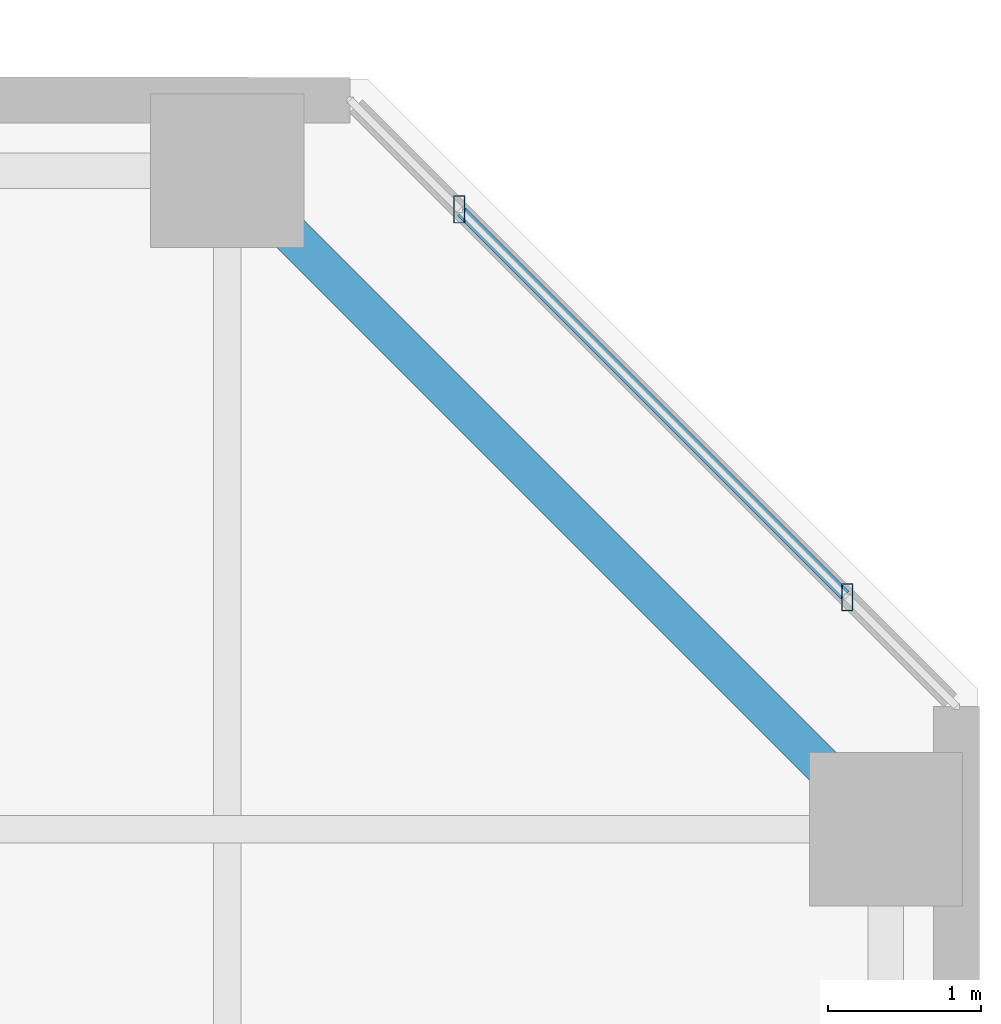
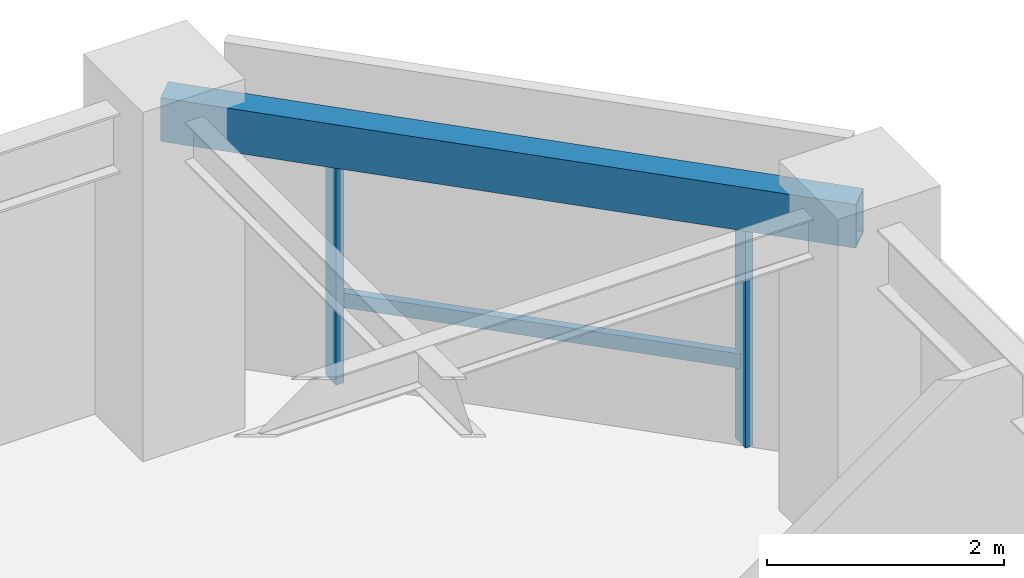
# One storey, part 17 of 33: 3 members, 1 beam, 1 element without a shape of its own.
"""IFC4 building model written with IfcOpenShell, lengths in metres."""

from ifc_helpers import new_model, si_unit, direction, frame, origin, origin_2d, place, context, subcontext, project, spatial, hollow_rectangle, extrude, material, material_profile, profile_set, type_object, element, aggregate, save


model = new_model("IFC4")

# Units and contexts
model_context = context("Model", 3, precision=1e-05, world=origin(), true_north=direction((0.0, 1.0)))
body_context = subcontext(model_context, "Body", "Model", "MODEL_VIEW")
ifc_project = project(units=[si_unit("LENGTHUNIT", "METRE"), si_unit("AREAUNIT", "SQUARE_METRE"), si_unit("VOLUMEUNIT", "CUBIC_METRE"), si_unit("PLANEANGLEUNIT", "RADIAN"), si_unit("MASSUNIT", "GRAM", prefix="KILO")], contexts=[model_context])

# Site, building, storey
site_placement = place(None, origin())
site = spatial("IfcSite", under=ifc_project, at=site_placement, CompositionType="ELEMENT")
building_placement = place(site_placement, origin())
building = spatial("IfcBuilding", under=site, at=building_placement, Name="Thornwick Lancets Civic Towers", CompositionType="ELEMENT")
storey_placement = place(building_placement, frame((0.0, 0.0, 203.699951171875)))
storey = spatial("IfcBuildingStorey", under=building, at=storey_placement, Name="L54", CompositionType="ELEMENT", Elevation=203.699951171875)

# Beam
ifc_material_1 = material(Name="Steel S355JR", Category="steel")
ifc_material_profile_1 = material_profile(ifc_material_1, hollow_rectangle(XDim=0.25, YDim=0.449951171875, WallThickness=0.01611328125, at=origin_2d()), Name="RHS 450x250x16")
ifc_profile_set_1 = profile_set([ifc_material_profile_1], Name="Steel S355JR")
beam_type = type_object("IfcBeamType", Name="BM_RING_RHS450", PredefinedType="BEAM", material=ifc_profile_set_1)
beam_placement = place(storey_placement, frame((105.800048828125, 40.0, 3.135009765625), z_axis=(-0.707106781187, 0.707106781187, 0.0), x_axis=(-0.707106781187, -0.707106781187, 0.0)))
element("IfcBeam", 1, at=beam_placement, inside=storey, type_object=beam_type, Name="BM-CHAMF-L54-B-C0", PredefinedType="BEAM", context=body_context, shape_type="SweptSolid", body=[
    extrude(hollow_rectangle(XDim=0.25, YDim=0.449951171875, WallThickness=0.01611328125, at=origin_2d()), origin(), (0.0, 0.0, 1.0), 6.081298828125),
])

# Curtain wall, members
ifc_material_2 = material(Name="High-zone chamfered-corner unitised glass curtain wall", Category="glass")
curtain_wall_type = type_object("IfcCurtainWallType", Name="CW_SYS_05", PredefinedType="NOTDEFINED", material=ifc_material_2)
curtain_wall_placement = place(storey_placement, origin())
curtain_wall = element("IfcCurtainWall", 2, at=curtain_wall_placement, inside=storey, type_object=curtain_wall_type, Name="L54 Curtain Wall CW-L54-B-E3", PredefinedType="NOTDEFINED")
ifc_material_3 = material(Name="Thermally broken bronze aluminium S355", Category="steel")
ifc_material_profile_2 = material_profile(ifc_material_3, hollow_rectangle(XDim=0.074951171875, YDim=0.179931640625, WallThickness=0.006103515625, at=origin_2d()), Name="RHS 180x75x6")
ifc_profile_set_2 = profile_set([ifc_material_profile_2], Name="Thermally broken bronze aluminium S355")
member_type_1 = type_object("IfcMemberType", Name="CW_MUL_180", PredefinedType="MULLION", material=ifc_profile_set_2)
member_1_placement = place(storey_placement, frame((105.547119140625, 41.514892578125, 0.0), z_axis=(0.0, 0.0, 1.0), x_axis=(1.0, 0.0, 0.0)))
member_1 = element("IfcMember", 3, at=member_1_placement, type_object=member_type_1, Name="CW-L54-B-E3 Mullion 0", PredefinedType="MULLION", context=body_context, shape_type="SweptSolid", body=[
    extrude(hollow_rectangle(XDim=0.074951171875, YDim=0.179931640625, WallThickness=0.006103515625, at=origin_2d()), origin(), (0.0, 0.0, 1.0), 2.699951171875),
])
member_2_placement = place(storey_placement, frame((103.014892578125, 44.047119140625, 0.0), z_axis=(0.0, 0.0, 1.0), x_axis=(1.0, 0.0, 0.0)))
member_2 = element("IfcMember", 4, at=member_2_placement, type_object=member_type_1, Name="CW-L54-B-E3 Mullion 1", PredefinedType="MULLION", context=body_context, shape_type="SweptSolid", body=[
    extrude(hollow_rectangle(XDim=0.074951171875, YDim=0.179931640625, WallThickness=0.006103515625, at=origin_2d()), origin(), (0.0, 0.0, 1.0), 2.699951171875),
])
ifc_material_profile_3 = material_profile(ifc_material_3, hollow_rectangle(XDim=0.074951171875, YDim=0.14990234375, WallThickness=0.0048828125, at=origin_2d()), Name="RHS 150x75x5")
ifc_profile_set_3 = profile_set([ifc_material_profile_3], Name="Thermally broken bronze aluminium S355")
member_type_2 = type_object("IfcMemberType", Name="CW_TRN_150", PredefinedType="USERDEFINED", material=ifc_profile_set_3)
member_3_placement = place(storey_placement, frame((105.532958984375, 41.529052734375, 0.85009765625), z_axis=(-0.707106781187, 0.707106781187, 0.0), x_axis=(-0.707106781187, -0.707106781187, 0.0)))
member_3 = element("IfcMember", 5, at=member_3_placement, type_object=member_type_2, Name="CW-L54-B-E3 Transom 0", ObjectType="TRANSOM", PredefinedType="USERDEFINED", context=body_context, shape_type="SweptSolid", body=[
    extrude(hollow_rectangle(XDim=0.074951171875, YDim=0.14990234375, WallThickness=0.0048828125, at=origin_2d()), origin(), (0.0, 0.0, 1.0), 3.541015625),
])
aggregate(curtain_wall, [member_1, member_2, member_3])

save(model, "model.ifc")
